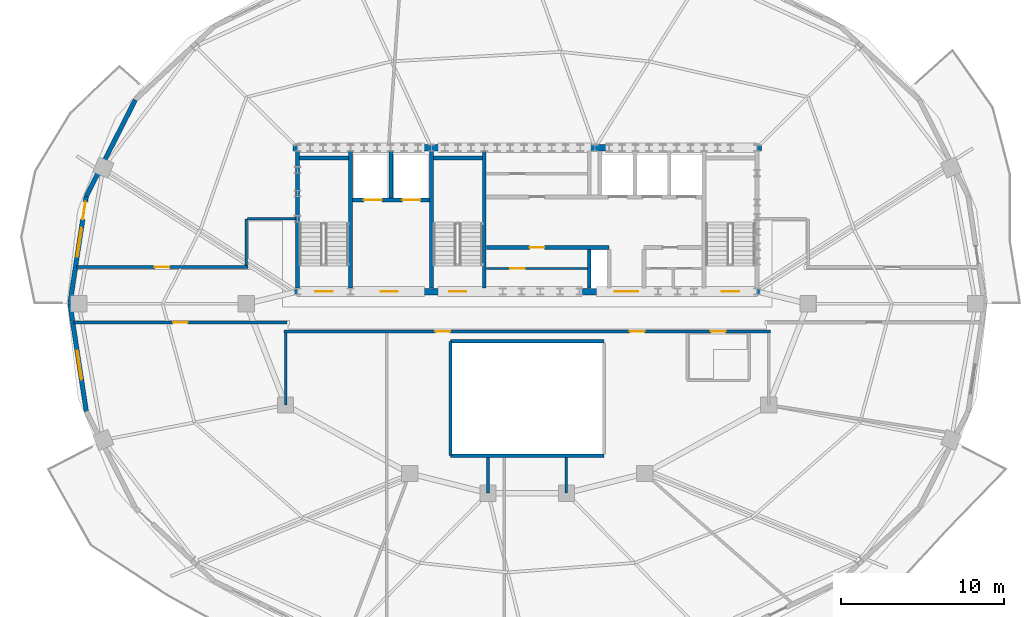
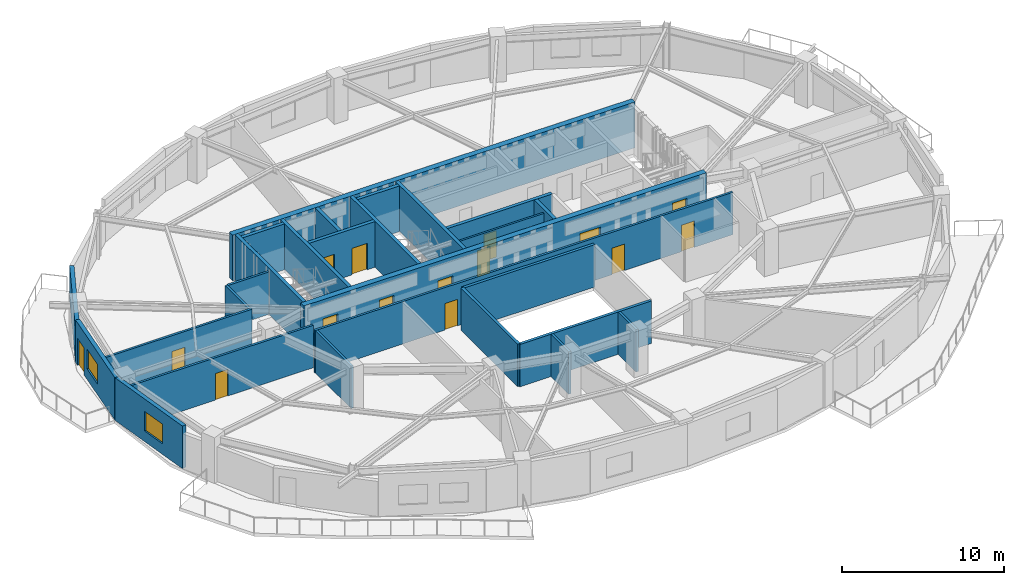
# One storey, part 4 of 11: 27 walls, 15 doors, 2 windows, 17 openings.
"""IFC4 building model written with IfcOpenShell, lengths in metres."""

from ifc_helpers import new_model, si_unit, direction, frame, frame_2d, origin, place, context, subcontext, project, spatial, rectangle, extrude, material, layer, layer_set, type_object, element, fill, save


model = new_model("IFC4")

# Units and contexts
model_context = context("Model", 3, precision=1e-05, world=origin(), true_north=direction((0.0, 1.0)))
body_context = subcontext(model_context, "Body", "Model", "MODEL_VIEW")
ifc_project = project(units=[si_unit("LENGTHUNIT", "METRE"), si_unit("AREAUNIT", "SQUARE_METRE"), si_unit("VOLUMEUNIT", "CUBIC_METRE"), si_unit("PLANEANGLEUNIT", "RADIAN"), si_unit("MASSUNIT", "GRAM", prefix="KILO")], contexts=[model_context])

# Site, building, storey
site_placement = place(None, origin())
site = spatial("IfcSite", under=ifc_project, at=site_placement, CompositionType="ELEMENT")
building_placement = place(site_placement, origin())
building = spatial("IfcBuilding", under=site, at=building_placement, Name="Haldorwick Loom Tower", CompositionType="ELEMENT")
storey_placement = place(building_placement, frame((0.0, 0.0, 234.0)))
storey = spatial("IfcBuildingStorey", under=building, at=storey_placement, Name="L63", CompositionType="ELEMENT", Elevation=234.0)

# Wall
ifc_material_1 = material(Name="Pressed Clay Face Brick and Insulated Masonry Backup Assembly", Category="masonry")
ifc_layer_1 = layer(ifc_material_1, 0.280029296875, Name="Pressed Clay Face Brick and Insulated Masonry Backup Assembly", Category="masonry")
ifc_layer_set_1 = layer_set([ifc_layer_1], Name="Pressed Clay Face Brick and Insulated Masonry Backup Assembly")
wall_type_1 = type_object("IfcWallType", Name="ARC-WL-EXT280", PredefinedType="STANDARD", material=ifc_layer_set_1)
wall_1_placement = place(storey_placement, frame((11.994384765625, 38.4853515625, 0.0), z_axis=(0.0, 0.0, 1.0), x_axis=(-0.453032066879, -0.89149422117, 0.0)))
element("IfcWall", 1, at=wall_1_placement, inside=storey, type_object=wall_type_1, Name="L63 Brick Pier and Spandrel Wall 11", PredefinedType="STANDARD", context=body_context, shape_type="SweptSolid", body=[
    extrude(rectangle(XDim=6.618896484375, YDim=0.280029296875, at=frame_2d((3.3095703125, 0.0))), origin(), (0.0, 0.0, 1.0), 2.64111328125),
])

# Wall, openings, door, window
wall_2_placement = place(storey_placement, frame((8.995849609375, 32.584716796875, 0.0), z_axis=(0.0, 0.0, 1.0), x_axis=(-0.150467697578, -0.988614926038, 0.0)))
wall_2 = element("IfcWall", 2, at=wall_2_placement, inside=storey, type_object=wall_type_1, Name="L63 Brick Pier and Spandrel Wall 12", PredefinedType="STANDARD", context=body_context, shape_type="SweptSolid", body=[
    extrude(rectangle(XDim=6.66064453125, YDim=0.280029296875, at=frame_2d((3.330322265625, 0.0))), origin(), (0.0, 0.0, 1.0), 3.2099609375),
])
opening_1_placement = place(wall_2_placement, frame((0.340087890625, 0.0, 0.0)))
opening_1 = element("IfcOpeningElement", 3, at=opening_1_placement, cuts=wall_2, Name="Opening D-BL11", PredefinedType="OPENING", context=body_context, shape_type="SweptSolid", body=[
    extrude(rectangle(XDim=1.080078125, YDim=2.0400390625, at=frame_2d((0.5400390625, 1.02001953125))), frame((0.0, 0.14990234375, 0.0), z_axis=(0.0, -1.0, 0.0), x_axis=(1.0, 0.0, 0.0)), (0.0, 0.0, 1.0), 0.300048828125),
])
opening_2_placement = place(wall_2_placement, frame((1.952392578125, 0.0, 0.800048828125)))
opening_2 = element("IfcOpeningElement", 4, at=opening_2_placement, cuts=wall_2, Name="Opening W-01", PredefinedType="OPENING", context=body_context, shape_type="SweptSolid", body=[
    extrude(rectangle(XDim=1.800048828125, YDim=1.47998046875, at=frame_2d((0.89990234375, 0.739990234375))), frame((0.0, 0.14990234375, 0.0), z_axis=(0.0, -1.0, 0.0), x_axis=(1.0, 0.0, 0.0)), (0.0, 0.0, 1.0), 0.300048828125),
])
ifc_material_2 = material(Name="Thermally Broken Anodized Aluminium Curtain Wall Framing", Category="aluminium")
door_type_1 = type_object("IfcDoorType", Name="ARC-DR-BAL110", OperationType="NOTDEFINED", PredefinedType="DOOR", material=ifc_material_2)
door_1_placement = place(opening_1_placement, origin())
door_1 = element("IfcDoor", 5, at=door_1_placement, inside=storey, type_object=door_type_1, Name="L63 Outdoor Terrace Door SLB-L63-BAL_WNW", OperationType="SINGLE_SWING_RIGHT", OverallHeight=2.0400390625, OverallWidth=1.080078125, PredefinedType="DOOR", context=body_context, shape_type="SweptSolid", body=[
    extrude(rectangle(XDim=1.080078125, YDim=2.0400390625, at=frame_2d((0.5400390625, 1.02001953125))), frame((0.0, 0.02490234375, 0.0), z_axis=(0.0, -1.0, 0.0), x_axis=(1.0, 0.0, 0.0)), (0.0, 0.0, 1.0), 0.050048828125),
])
fill(opening_1, door_1)
ifc_material_3 = material(Name="Triple-Glazed Low-E Argon Insulated Glazing Unit", Category="glass")
window_type = type_object("IfcWindowType", Name="ARC-WIN-W180", PartitioningType="SINGLE_PANEL", PredefinedType="WINDOW", material=ifc_material_3)
window_1_placement = place(opening_2_placement, origin())
window_1 = element("IfcWindow", 6, at=window_1_placement, inside=storey, type_object=window_type, Name="L63 Deep-Set Zone 7A Window 12", OverallHeight=1.47998046875, OverallWidth=1.800048828125, PartitioningType="SINGLE_PANEL", PredefinedType="WINDOW", context=body_context, shape_type="SweptSolid", body=[
    extrude(rectangle(XDim=1.800048828125, YDim=1.47998046875, at=frame_2d((0.89990234375, 0.739990234375))), frame((0.0, 0.030029296875, 0.0), z_axis=(0.0, -1.0, 0.0), x_axis=(1.0, 0.0, 0.0)), (0.0, 0.0, 1.0), 0.06005859375),
])
fill(opening_2, window_1)

# Wall, opening, window
wall_3_placement = place(storey_placement, frame((7.99365234375, 26.0, 0.0), z_axis=(0.0, 0.0, 1.0), x_axis=(0.150467697578, -0.988614926038, 0.0)))
wall_3 = element("IfcWall", 7, at=wall_3_placement, inside=storey, type_object=wall_type_1, Name="L63 Brick Pier and Spandrel Wall 13", PredefinedType="STANDARD", context=body_context, shape_type="SweptSolid", body=[
    extrude(rectangle(XDim=6.66064453125, YDim=0.280029296875, at=frame_2d((3.330322265625, 0.0))), origin(), (0.0, 0.0, 1.0), 3.2099609375),
])
opening_3_placement = place(wall_3_placement, frame((2.907958984375, 0.0, 0.800048828125)))
opening_3 = element("IfcOpeningElement", 8, at=opening_3_placement, cuts=wall_3, Name="Opening W-01", PredefinedType="OPENING", context=body_context, shape_type="SweptSolid", body=[
    extrude(rectangle(XDim=1.800048828125, YDim=1.47998046875, at=frame_2d((0.89990234375, 0.739990234375))), frame((0.0, 0.14990234375, 0.0), z_axis=(0.0, -1.0, 0.0), x_axis=(1.0, 0.0, 0.0)), (0.0, 0.0, 1.0), 0.300048828125),
])
window_2_placement = place(opening_3_placement, origin())
window_2 = element("IfcWindow", 9, at=window_2_placement, inside=storey, type_object=window_type, Name="L63 Deep-Set Zone 7A Window 13", OverallHeight=1.47998046875, OverallWidth=1.800048828125, PartitioningType="SINGLE_PANEL", PredefinedType="WINDOW", context=body_context, shape_type="SweptSolid", body=[
    extrude(rectangle(XDim=1.800048828125, YDim=1.47998046875, at=frame_2d((0.89990234375, 0.739990234375))), frame((0.0, 0.030029296875, 0.0), z_axis=(0.0, -1.0, 0.0), x_axis=(1.0, 0.0, 0.0)), (0.0, 0.0, 1.0), 0.06005859375),
])
fill(opening_3, window_2)

# Wall, openings, doors
ifc_material_4 = material(Name="Fire-Rated Type X Gypsum Stud Assembly EI 60")
ifc_layer_2 = layer(ifc_material_4, 0.159912109375, Name="Fire-Rated Type X Gypsum Stud Assembly EI 60")
ifc_layer_set_2 = layer_set([ifc_layer_2], Name="Fire-Rated Type X Gypsum Stud Assembly EI 60")
wall_type_2 = type_object("IfcWallType", Name="ARC-WL-FIRE160", PredefinedType="PARTITIONING", material=ifc_layer_set_2)
wall_4_placement = place(storey_placement, frame((21.10009765625, 24.300048828125, 0.0), z_axis=(0.0, 0.0, 1.0), x_axis=(1.0, 0.0, 0.0)))
wall_4 = element("IfcWall", 10, at=wall_4_placement, inside=storey, type_object=wall_type_2, Name="L63 Residential Fire Partition L63-CR-SP", PredefinedType="PARTITIONING", context=body_context, shape_type="SweptSolid", body=[
    extrude(rectangle(XDim=29.7998046875, YDim=0.159912109375, at=frame_2d((14.89990234375, 0.0))), origin(), (0.0, 0.0, 1.0), 3.195068359375),
])
opening_4_placement = place(wall_4_placement, frame((21.1826171875, 0.0, 0.0)))
opening_4 = element("IfcOpeningElement", 11, at=opening_4_placement, cuts=wall_4, Name="Opening D-FD60A", PredefinedType="OPENING", context=body_context, shape_type="SweptSolid", body=[
    extrude(rectangle(XDim=0.89990234375, YDim=2.0, at=frame_2d((0.449951171875, 1.0))), frame((0.0, 0.08984375, 0.0), z_axis=(0.0, -1.0, 0.0), x_axis=(1.0, 0.0, 0.0)), (0.0, 0.0, 1.0), 0.179931640625),
])
opening_5_placement = place(wall_4_placement, frame((9.272705078125, 0.0, 0.0)))
opening_5 = element("IfcOpeningElement", 12, at=opening_5_placement, cuts=wall_4, Name="Opening D-FD60A", PredefinedType="OPENING", context=body_context, shape_type="SweptSolid", body=[
    extrude(rectangle(XDim=0.89990234375, YDim=2.0, at=frame_2d((0.449951171875, 1.0))), frame((0.0, 0.08984375, 0.0), z_axis=(0.0, -1.0, 0.0), x_axis=(1.0, 0.0, 0.0)), (0.0, 0.0, 1.0), 0.179931640625),
])
opening_6_placement = place(wall_4_placement, frame((26.1494140625, 0.0, 0.0)))
opening_6 = element("IfcOpeningElement", 13, at=opening_6_placement, cuts=wall_4, Name="Opening D-FD60A", PredefinedType="OPENING", context=body_context, shape_type="SweptSolid", body=[
    extrude(rectangle(XDim=0.89990234375, YDim=2.0, at=frame_2d((0.449951171875, 1.0))), frame((0.0, 0.08984375, 0.0), z_axis=(0.0, -1.0, 0.0), x_axis=(1.0, 0.0, 0.0)), (0.0, 0.0, 1.0), 0.179931640625),
])
ifc_material_5 = material(Name="Hollow Steel Fire Door Assembly", Category="steel")
door_type_2 = type_object("IfcDoorType", Name="ARC-DR-FD60-90", OperationType="NOTDEFINED", PredefinedType="DOOR", material=ifc_material_5)
door_2_placement = place(opening_4_placement, origin())
door_2 = element("IfcDoor", 14, at=door_2_placement, inside=storey, type_object=door_type_2, Name="L63 L63 Central Residential Corridor to Community Library Hall 2 Door", OperationType="SINGLE_SWING_RIGHT", OverallHeight=2.0, OverallWidth=0.89990234375, PredefinedType="DOOR", context=body_context, shape_type="SweptSolid", body=[
    extrude(rectangle(XDim=0.89990234375, YDim=2.0, at=frame_2d((0.449951171875, 1.0))), frame((0.0, 0.02490234375, 0.0), z_axis=(0.0, -1.0, 0.0), x_axis=(1.0, 0.0, 0.0)), (0.0, 0.0, 1.0), 0.050048828125),
])
fill(opening_4, door_2)
door_3_placement = place(opening_5_placement, origin())
door_3 = element("IfcDoor", 15, at=door_3_placement, inside=storey, type_object=door_type_2, Name="L63 L63 Central Residential Corridor to Community Library Hall 1 Door", OperationType="SINGLE_SWING_LEFT", OverallHeight=2.0, OverallWidth=0.89990234375, PredefinedType="DOOR", context=body_context, shape_type="SweptSolid", body=[
    extrude(rectangle(XDim=0.89990234375, YDim=2.0, at=frame_2d((0.449951171875, 1.0))), frame((0.0, 0.02490234375, 0.0), z_axis=(0.0, -1.0, 0.0), x_axis=(1.0, 0.0, 0.0)), (0.0, 0.0, 1.0), 0.050048828125),
])
fill(opening_5, door_3)
door_4_placement = place(opening_6_placement, origin())
door_4 = element("IfcDoor", 16, at=door_4_placement, inside=storey, type_object=door_type_2, Name="L63 L63 Central Residential Corridor to Common Accessible WC Door", OperationType="SINGLE_SWING_RIGHT", OverallHeight=2.0, OverallWidth=0.89990234375, PredefinedType="DOOR", context=body_context, shape_type="SweptSolid", body=[
    extrude(rectangle(XDim=0.89990234375, YDim=2.0, at=frame_2d((0.449951171875, 1.0))), frame((0.0, 0.02490234375, 0.0), z_axis=(0.0, -1.0, 0.0), x_axis=(1.0, 0.0, 0.0)), (0.0, 0.0, 1.0), 0.050048828125),
])
fill(opening_6, door_4)

# Wall, opening, door
wall_5_placement = place(storey_placement, frame((8.214111328125, 24.85009765625, 0.0), z_axis=(0.0, 0.0, 1.0), x_axis=(1.0, 0.0, 0.0)))
wall_5 = element("IfcWall", 17, at=wall_5_placement, inside=storey, type_object=wall_type_2, Name="L63 Residential Fire Partition L63-CR-SPW", PredefinedType="PARTITIONING", context=body_context, shape_type="SweptSolid", body=[
    extrude(rectangle(XDim=13.0859375, YDim=0.159912109375, at=frame_2d((6.54296875, 0.0))), origin(), (0.0, 0.0, 1.0), 3.195068359375),
])
opening_7_placement = place(wall_5_placement, frame((6.093017578125, 0.0, 0.0)))
opening_7 = element("IfcOpeningElement", 18, at=opening_7_placement, cuts=wall_5, Name="Opening D-FD60A", PredefinedType="OPENING", context=body_context, shape_type="SweptSolid", body=[
    extrude(rectangle(XDim=0.89990234375, YDim=2.0, at=frame_2d((0.449951171875, 1.0))), frame((0.0, 0.08984375, 0.0), z_axis=(0.0, -1.0, 0.0), x_axis=(1.0, 0.0, 0.0)), (0.0, 0.0, 1.0), 0.179931640625),
])
door_5_placement = place(opening_7_placement, origin())
door_5 = element("IfcDoor", 19, at=door_5_placement, inside=storey, type_object=door_type_2, Name="L63 L63 Central Residential Corridor to Community Library Hall 3 Door", OperationType="SINGLE_SWING_LEFT", OverallHeight=2.0, OverallWidth=0.89990234375, PredefinedType="DOOR", context=body_context, shape_type="SweptSolid", body=[
    extrude(rectangle(XDim=0.89990234375, YDim=2.0, at=frame_2d((0.449951171875, 1.0))), frame((0.0, 0.02490234375, 0.0), z_axis=(0.0, -1.0, 0.0), x_axis=(1.0, 0.0, 0.0)), (0.0, 0.0, 1.0), 0.050048828125),
])
fill(opening_7, door_5)

wall_6_placement = place(storey_placement, frame((8.381591796875, 28.25, 0.0), z_axis=(0.0, 0.0, 1.0), x_axis=(1.0, 0.0, 0.0)))
wall_6 = element("IfcWall", 20, at=wall_6_placement, inside=storey, type_object=wall_type_2, Name="L63 Residential Fire Partition L63-CR-NWL", PredefinedType="PARTITIONING", context=body_context, shape_type="SweptSolid", body=[
    extrude(rectangle(XDim=10.518310546875, YDim=0.159912109375, at=frame_2d((5.25927734375, 0.0))), origin(), (0.0, 0.0, 1.0), 3.195068359375),
])
opening_8_placement = place(wall_6_placement, frame((4.80908203125, 0.0, 0.0)))
opening_8 = element("IfcOpeningElement", 21, at=opening_8_placement, cuts=wall_6, Name="Opening D-FD60A", PredefinedType="OPENING", context=body_context, shape_type="SweptSolid", body=[
    extrude(rectangle(XDim=0.89990234375, YDim=2.0, at=frame_2d((0.449951171875, 1.0))), frame((0.0, 0.08984375, 0.0), z_axis=(0.0, -1.0, 0.0), x_axis=(1.0, 0.0, 0.0)), (0.0, 0.0, 1.0), 0.179931640625),
])
door_6_placement = place(opening_8_placement, frame((0.89990234375, 0.0, 0.0), z_axis=(0.0, 0.0, 1.0), x_axis=(-1.0, 0.0, 0.0)))
door_6 = element("IfcDoor", 22, at=door_6_placement, inside=storey, type_object=door_type_2, Name="L63 Community Library Hall 5 to L63 Central Residential Corridor Door", OperationType="SINGLE_SWING_RIGHT", OverallHeight=2.0, OverallWidth=0.89990234375, PredefinedType="DOOR", context=body_context, shape_type="SweptSolid", body=[
    extrude(rectangle(XDim=0.89990234375, YDim=2.0, at=frame_2d((0.449951171875, 1.0))), frame((0.0, 0.02490234375, 0.0), z_axis=(0.0, -1.0, 0.0), x_axis=(1.0, 0.0, 0.0)), (0.0, 0.0, 1.0), 0.050048828125),
])
fill(opening_8, door_6)

# Walls
wall_7_placement = place(storey_placement, frame((18.800048828125, 28.3330078125, 0.0), z_axis=(0.0, 0.0, 1.0), x_axis=(0.0, 1.0, 0.0)))
element("IfcWall", 23, at=wall_7_placement, inside=storey, type_object=wall_type_2, Name="L63 Residential Fire Partition L63-CR-W0", PredefinedType="PARTITIONING", context=body_context, shape_type="SweptSolid", body=[
    extrude(rectangle(XDim=2.866943359375, YDim=0.159912109375, at=frame_2d((1.43359375, 0.0))), origin(), (0.0, 0.0, 1.0), 3.195068359375),
])
wall_8_placement = place(storey_placement, frame((18.883056640625, 31.199951171875, 0.0), z_axis=(0.0, 0.0, 1.0), x_axis=(1.0, 0.0, 0.0)))
element("IfcWall", 24, at=wall_8_placement, inside=storey, type_object=wall_type_2, Name="L63 Residential Fire Partition L63-CR-WNJ", PredefinedType="PARTITIONING", context=body_context, shape_type="SweptSolid", body=[
    extrude(rectangle(XDim=2.923828125, YDim=0.159912109375, at=frame_2d((1.4619140625, 0.0))), origin(), (0.0, 0.0, 1.0), 3.195068359375),
])
for number, where, z_axis, x_axis, name in (
    (25, (38.39990234375, 16.596923828125, 0.0), (0.0, 0.0, 1.0), (0.0, -1.0, 0.0), "L63 Residential Fire Partition L63-ICA-05"),
    (26, (33.60009765625, 16.596923828125, 0.0), (0.0, 0.0, 1.0), (0.0, -1.0, 0.0), "L63 Residential Fire Partition L63-ICA-06"),
):
    element("IfcWall", number, at=place(storey_placement, frame(where, z_axis=z_axis, x_axis=x_axis)), inside=storey, type_object=wall_type_2, Name=name, PredefinedType="PARTITIONING", context=body_context, shape_type="SweptSolid", body=[
        extrude(rectangle(XDim=2.197021484375, YDim=0.159912109375, at=frame_2d((1.0986328125, 0.0))), origin(), (0.0, 0.0, 1.0), 3.195068359375),
    ])
wall_9_placement = place(storey_placement, frame((21.199951171875, 24.217041015625, 0.0), z_axis=(0.0, 0.0, 1.0), x_axis=(0.0, -1.0, 0.0)))
element("IfcWall", 27, at=wall_9_placement, inside=storey, type_object=wall_type_2, Name="L63 Residential Fire Partition L63-ICA-09", PredefinedType="PARTITIONING", context=body_context, shape_type="SweptSolid", body=[
    extrude(rectangle(XDim=4.4169921875, YDim=0.159912109375, at=frame_2d((2.20849609375, 0.0))), origin(), (0.0, 0.0, 1.0), 3.195068359375),
])
ifc_material_6 = material(Name="Fire-Rated Type X Gypsum Stud Assembly EI 120")
ifc_layer_3 = layer(ifc_material_6, 0.199951171875, Name="Fire-Rated Type X Gypsum Stud Assembly EI 120")
ifc_layer_set_3 = layer_set([ifc_layer_3], Name="Fire-Rated Type X Gypsum Stud Assembly EI 120")
wall_type_3 = type_object("IfcWallType", Name="ARC-WL-FIRE200", PredefinedType="PARTITIONING", material=ifc_layer_set_3)
for number, where, z_axis, x_axis, name in (
    (28, (31.300048828125, 23.699951171875, 0.0), (0.0, 0.0, 1.0), (1.0, 0.0, 0.0), "L63 Atrium Fire Enclosure Wall N"),
    (29, (40.699951171875, 16.699951171875, 0.0), (0.0, 0.0, 1.0), (-1.0, 0.0, 0.0), "L63 Atrium Fire Enclosure Wall S"),
):
    element("IfcWall", number, at=place(storey_placement, frame(where, z_axis=z_axis, x_axis=x_axis)), inside=storey, type_object=wall_type_3, Name=name, PredefinedType="PARTITIONING", context=body_context, shape_type="SweptSolid", body=[
        extrude(rectangle(XDim=9.39990234375, YDim=0.199951171875, at=frame_2d((4.699951171875, 0.0))), origin(), (0.0, 0.0, 1.0), 3.195068359375),
    ])
wall_10_placement = place(storey_placement, frame((31.300048828125, 16.699951171875, 0.0), z_axis=(0.0, 0.0, 1.0), x_axis=(0.0, 1.0, 0.0)))
element("IfcWall", 30, at=wall_10_placement, inside=storey, type_object=wall_type_3, Name="L63 Atrium Fire Enclosure Wall W", PredefinedType="PARTITIONING", context=body_context, shape_type="SweptSolid", body=[
    extrude(rectangle(XDim=7.0, YDim=0.199951171875, at=frame_2d((3.5, 0.0))), origin(), (0.0, 0.0, 1.0), 3.195068359375),
])

# Wall, opening, door
ifc_layer_4 = layer(ifc_material_4, 0.139892578125, Name="Fire-Rated Type X Gypsum Stud Assembly EI 60")
ifc_layer_set_4 = layer_set([ifc_layer_4], Name="Fire-Rated Type X Gypsum Stud Assembly EI 60")
wall_type_4 = type_object("IfcWallType", Name="ARC-WL-PART140", PredefinedType="PARTITIONING", material=ifc_layer_set_4)
wall_11_placement = place(storey_placement, frame((33.492919921875, 28.159912109375, 0.0), z_axis=(0.0, 0.0, 1.0), x_axis=(1.0, 0.0, 0.0)))
wall_11 = element("IfcWall", 31, at=wall_11_placement, inside=storey, type_object=wall_type_4, Name="L63 Mid-Bank Horizontal Partition", PredefinedType="PARTITIONING", context=body_context, shape_type="SweptSolid", body=[
    extrude(rectangle(XDim=6.18408203125, YDim=0.139892578125, at=frame_2d((3.092041015625, 0.0))), origin(), (0.0, 0.0, 1.0), 3.195068359375),
])
opening_9_placement = place(wall_11_placement, frame((1.45703125, 0.0, 0.0)))
opening_9 = element("IfcOpeningElement", 32, at=opening_9_placement, cuts=wall_11, Name="Opening D-FD60A", PredefinedType="OPENING", context=body_context, shape_type="SweptSolid", body=[
    extrude(rectangle(XDim=0.89990234375, YDim=2.0, at=frame_2d((0.449951171875, 1.0))), frame((0.0, 0.079833984375, 0.0), z_axis=(0.0, -1.0, 0.0), x_axis=(1.0, 0.0, 0.0)), (0.0, 0.0, 1.0), 0.159912109375),
])
door_7_placement = place(opening_9_placement, origin())
door_7 = element("IfcDoor", 33, at=door_7_placement, inside=storey, type_object=door_type_2, Name="L63 Archive Store Door", OperationType="SINGLE_SWING_RIGHT", OverallHeight=2.0, OverallWidth=0.89990234375, PredefinedType="DOOR", context=body_context, shape_type="SweptSolid", body=[
    extrude(rectangle(XDim=0.89990234375, YDim=2.0, at=frame_2d((0.449951171875, 1.0))), frame((0.0, 0.02490234375, 0.0), z_axis=(0.0, -1.0, 0.0), x_axis=(1.0, 0.0, 0.0)), (0.0, 0.0, 1.0), 0.050048828125),
])
fill(opening_9, door_7)

# Wall, openings, doors
ifc_material_7 = material(Name="Concrete C50 (50 MPa)", Category="concrete")
ifc_layer_5 = layer(ifc_material_7, 0.39990234375, Name="Concrete C50 (50 MPa)", Category="concrete")
ifc_layer_set_5 = layer_set([ifc_layer_5], Name="Concrete C50 (50 MPa)")
wall_type_5 = type_object("IfcWallType", Name="STR-WL-CORE400", PredefinedType="SHEAR", material=ifc_layer_set_5)
wall_12_placement = place(storey_placement, frame((21.64990234375, 26.75, 0.0), z_axis=(0.0, 0.0, 1.0), x_axis=(1.0, 0.0, 0.0)))
wall_12 = element("IfcWall", 34, at=wall_12_placement, inside=storey, type_object=wall_type_5, Name="L63 Core Shear Wall S", PredefinedType="SHEAR", context=body_context, shape_type="SweptSolid", body=[
    extrude(rectangle(XDim=28.7001953125, YDim=0.39990234375, at=frame_2d((14.35009765625, 0.0))), origin(), (0.0, 0.0, 1.0), 3.449951171875),
])
opening_10_placement = place(wall_12_placement, frame((1.375, 0.0, 0.0)))
opening_10 = element("IfcOpeningElement", 35, at=opening_10_placement, cuts=wall_12, Name="Opening D-FD60", PredefinedType="OPENING", context=body_context, shape_type="SweptSolid", body=[
    extrude(rectangle(XDim=1.050048828125, YDim=2.0, at=frame_2d((0.52490234375, 1.0))), frame((0.0, 0.2099609375, 0.0), z_axis=(0.0, -1.0, 0.0), x_axis=(1.0, 0.0, 0.0)), (0.0, 0.0, 1.0), 0.419921875),
])
opening_11_placement = place(wall_12_placement, frame((5.375, 0.0, 0.0)))
opening_11 = element("IfcOpeningElement", 36, at=opening_11_placement, cuts=wall_12, Name="Opening D-FD60", PredefinedType="OPENING", context=body_context, shape_type="SweptSolid", body=[
    extrude(rectangle(XDim=1.050048828125, YDim=2.0, at=frame_2d((0.52490234375, 1.0))), frame((0.0, 0.2099609375, 0.0), z_axis=(0.0, -1.0, 0.0), x_axis=(1.0, 0.0, 0.0)), (0.0, 0.0, 1.0), 0.419921875),
])
opening_12_placement = place(wall_12_placement, frame((9.574951171875, 0.0, 0.0)))
opening_12 = element("IfcOpeningElement", 37, at=opening_12_placement, cuts=wall_12, Name="Opening D-FD60", PredefinedType="OPENING", context=body_context, shape_type="SweptSolid", body=[
    extrude(rectangle(XDim=1.050048828125, YDim=2.0, at=frame_2d((0.52490234375, 1.0))), frame((0.0, 0.2099609375, 0.0), z_axis=(0.0, -1.0, 0.0), x_axis=(1.0, 0.0, 0.0)), (0.0, 0.0, 1.0), 0.419921875),
])
opening_13_placement = place(wall_12_placement, frame((19.705078125, 0.0, 0.0)))
opening_13 = element("IfcOpeningElement", 38, at=opening_13_placement, cuts=wall_12, Name="Opening D-LB15", PredefinedType="OPENING", context=body_context, shape_type="SweptSolid", body=[
    extrude(rectangle(XDim=1.449951171875, YDim=2.0, at=frame_2d((0.72509765625, 1.0))), frame((0.0, 0.2099609375, 0.0), z_axis=(0.0, -1.0, 0.0), x_axis=(1.0, 0.0, 0.0)), (0.0, 0.0, 1.0), 0.419921875),
])
opening_14_placement = place(wall_12_placement, frame((26.27490234375, 0.0, 0.0)))
opening_14 = element("IfcOpeningElement", 39, at=opening_14_placement, cuts=wall_12, Name="Opening D-FD60", PredefinedType="OPENING", context=body_context, shape_type="SweptSolid", body=[
    extrude(rectangle(XDim=1.050048828125, YDim=2.0, at=frame_2d((0.52490234375, 1.0))), frame((0.0, 0.2099609375, 0.0), z_axis=(0.0, -1.0, 0.0), x_axis=(1.0, 0.0, 0.0)), (0.0, 0.0, 1.0), 0.419921875),
])
door_type_3 = type_object("IfcDoorType", Name="ARC-DR-FD60", OperationType="NOTDEFINED", PredefinedType="DOOR", material=ifc_material_5)
door_8_placement = place(opening_10_placement, origin())
door_8 = element("IfcDoor", 40, at=door_8_placement, inside=storey, type_object=door_type_3, Name="L63 Exit Stair ST-01 Fire Door", OperationType="SINGLE_SWING_LEFT", OverallHeight=2.0, OverallWidth=1.050048828125, PredefinedType="DOOR", context=body_context, shape_type="SweptSolid", body=[
    extrude(rectangle(XDim=1.050048828125, YDim=2.0, at=frame_2d((0.52490234375, 1.0))), frame((0.0, 0.02490234375, 0.0), z_axis=(0.0, -1.0, 0.0), x_axis=(1.0, 0.0, 0.0)), (0.0, 0.0, 1.0), 0.050048828125),
])
fill(opening_10, door_8)
door_9_placement = place(opening_11_placement, origin())
door_9 = element("IfcDoor", 41, at=door_9_placement, inside=storey, type_object=door_type_3, Name="L63 Firefighting Lift Lobby Fire Door", OperationType="SINGLE_SWING_RIGHT", OverallHeight=2.0, OverallWidth=1.050048828125, PredefinedType="DOOR", context=body_context, shape_type="SweptSolid", body=[
    extrude(rectangle(XDim=1.050048828125, YDim=2.0, at=frame_2d((0.52490234375, 1.0))), frame((0.0, 0.02490234375, 0.0), z_axis=(0.0, -1.0, 0.0), x_axis=(1.0, 0.0, 0.0)), (0.0, 0.0, 1.0), 0.050048828125),
])
fill(opening_11, door_9)
door_10_placement = place(opening_12_placement, origin())
door_10 = element("IfcDoor", 42, at=door_10_placement, inside=storey, type_object=door_type_3, Name="L63 Exit Stair ST-03 Fire Door", OperationType="SINGLE_SWING_LEFT", OverallHeight=2.0, OverallWidth=1.050048828125, PredefinedType="DOOR", context=body_context, shape_type="SweptSolid", body=[
    extrude(rectangle(XDim=1.050048828125, YDim=2.0, at=frame_2d((0.52490234375, 1.0))), frame((0.0, 0.02490234375, 0.0), z_axis=(0.0, -1.0, 0.0), x_axis=(1.0, 0.0, 0.0)), (0.0, 0.0, 1.0), 0.050048828125),
])
fill(opening_12, door_10)
door_11_placement = place(opening_14_placement, origin())
door_11 = element("IfcDoor", 43, at=door_11_placement, inside=storey, type_object=door_type_3, Name="L63 Exit Stair ST-02 Fire Door", OperationType="SINGLE_SWING_LEFT", OverallHeight=2.0, OverallWidth=1.050048828125, PredefinedType="DOOR", context=body_context, shape_type="SweptSolid", body=[
    extrude(rectangle(XDim=1.050048828125, YDim=2.0, at=frame_2d((0.52490234375, 1.0))), frame((0.0, 0.02490234375, 0.0), z_axis=(0.0, -1.0, 0.0), x_axis=(1.0, 0.0, 0.0)), (0.0, 0.0, 1.0), 0.050048828125),
])
fill(opening_14, door_11)
ifc_material_8 = material(Name="Thermally Broken Anodized Aluminium and Tempered Glass", Category="aluminium")
door_type_4 = type_object("IfcDoorType", Name="ARC-DR-LOB150", OperationType="NOTDEFINED", PredefinedType="DOOR", material=ifc_material_8)
door_12_placement = place(opening_13_placement, frame((1.449951171875, 0.0, 0.0), z_axis=(0.0, 0.0, 1.0), x_axis=(-1.0, 0.0, 0.0)))
door_12 = element("IfcDoor", 44, at=door_12_placement, inside=storey, type_object=door_type_4, Name="L63 Passenger Lift Lobby Fire Door", OperationType="DOUBLE_DOOR_SINGLE_SWING", OverallHeight=2.0, OverallWidth=1.449951171875, PredefinedType="DOOR", context=body_context, shape_type="SweptSolid", body=[
    extrude(rectangle(XDim=1.449951171875, YDim=2.0, at=frame_2d((0.72509765625, 1.0))), frame((0.0, 0.02490234375, 0.0), z_axis=(0.0, -1.0, 0.0), x_axis=(1.0, 0.0, 0.0)), (0.0, 0.0, 1.0), 0.050048828125),
])
fill(opening_13, door_12)

# Walls
wall_13_placement = place(storey_placement, frame((50.35009765625, 35.550048828125, 0.0), z_axis=(0.0, 0.0, 1.0), x_axis=(-1.0, 0.0, 0.0)))
element("IfcWall", 45, at=wall_13_placement, inside=storey, type_object=wall_type_5, Name="L63 Core Shear Wall N", PredefinedType="SHEAR", context=body_context, shape_type="SweptSolid", body=[
    extrude(rectangle(XDim=28.7001953125, YDim=0.39990234375, at=frame_2d((14.35009765625, 0.0))), origin(), (0.0, 0.0, 1.0), 3.449951171875),
])
ifc_layer_6 = layer(ifc_material_7, 0.239990234375, Name="Concrete C50 (50 MPa)", Category="concrete")
ifc_layer_set_6 = layer_set([ifc_layer_6], Name="Concrete C50 (50 MPa)")
wall_type_6 = type_object("IfcWallType", Name="STR-WL-SHAFT240", PredefinedType="SHEAR", material=ifc_layer_set_6)
for number, where, z_axis, x_axis, name in (
    (46, (21.929931640625, 35.346923828125, 0.0), (0.0, 0.0, 1.0), (0.0, -1.0, 0.0), "L63 Core Shear Wall W"),
    (47, (25.169921875, 26.952880859375, 0.0), (0.0, 0.0, 1.0), (0.0, 1.0, 0.0), "L63 Core Shear Wall 1"),
):
    element("IfcWall", number, at=place(storey_placement, frame(where, z_axis=z_axis, x_axis=x_axis)), inside=storey, type_object=wall_type_6, Name=name, PredefinedType="SHEAR", context=body_context, shape_type="SweptSolid", body=[
        extrude(rectangle(XDim=8.39404296875, YDim=0.239990234375, at=frame_2d((4.197021484375, 0.0))), origin(), (0.0, 0.0, 1.0), 3.449951171875),
    ])
wall_14_placement = place(storey_placement, frame((22.052978515625, 34.919921875, 0.0), z_axis=(0.0, 0.0, 1.0), x_axis=(1.0, 0.0, 0.0)))
element("IfcWall", 48, at=wall_14_placement, inside=storey, type_object=wall_type_6, Name="L63 Core Shear Wall 1N", PredefinedType="SHEAR", context=body_context, shape_type="SweptSolid", body=[
    extrude(rectangle(XDim=2.994140625, YDim=0.239990234375, at=frame_2d((1.4970703125, 0.0))), origin(), (0.0, 0.0, 1.0), 3.449951171875),
])
for number, where, z_axis, x_axis, name in (
    (49, (30.1298828125, 26.952880859375, 0.0), (0.0, 0.0, 1.0), (0.0, 1.0, 0.0), "L63 Core Shear Wall 2"),
    (50, (33.3701171875, 26.952880859375, 0.0), (0.0, 0.0, 1.0), (0.0, 1.0, 0.0), "L63 Core Shear Wall 3"),
):
    element("IfcWall", number, at=place(storey_placement, frame(where, z_axis=z_axis, x_axis=x_axis)), inside=storey, type_object=wall_type_6, Name=name, PredefinedType="SHEAR", context=body_context, shape_type="SweptSolid", body=[
        extrude(rectangle(XDim=8.39404296875, YDim=0.239990234375, at=frame_2d((4.197021484375, 0.0))), origin(), (0.0, 0.0, 1.0), 3.449951171875),
    ])
wall_15_placement = place(storey_placement, frame((30.2529296875, 34.919921875, 0.0), z_axis=(0.0, 0.0, 1.0), x_axis=(1.0, 0.0, 0.0)))
element("IfcWall", 51, at=wall_15_placement, inside=storey, type_object=wall_type_6, Name="L63 Core Shear Wall 3N", PredefinedType="SHEAR", context=body_context, shape_type="SweptSolid", body=[
    extrude(rectangle(XDim=2.994140625, YDim=0.239990234375, at=frame_2d((1.4970703125, 0.0))), origin(), (0.0, 0.0, 1.0), 3.449951171875),
])

# Wall, openings, doors
wall_16_placement = place(storey_placement, frame((25.29296875, 32.35009765625, 0.0), z_axis=(0.0, 0.0, 1.0), x_axis=(1.0, 0.0, 0.0)))
wall_16 = element("IfcWall", 52, at=wall_16_placement, inside=storey, type_object=wall_type_6, Name="L63 Core Shear Wall FF", PredefinedType="SHEAR", context=body_context, shape_type="SweptSolid", body=[
    extrude(rectangle(XDim=4.714111328125, YDim=0.239990234375, at=frame_2d((2.35693359375, 0.0))), origin(), (0.0, 0.0, 1.0), 3.449951171875),
])
opening_15_placement = place(wall_16_placement, frame((0.70703125, 0.0, 0.0)))
opening_15 = element("IfcOpeningElement", 53, at=opening_15_placement, cuts=wall_16, Name="Opening LD-FF1", PredefinedType="OPENING", context=body_context, shape_type="SweptSolid", body=[
    extrude(rectangle(XDim=1.10009765625, YDim=2.0, at=frame_2d((0.550048828125, 1.0))), frame((0.0, 0.1298828125, 0.0), z_axis=(0.0, -1.0, 0.0), x_axis=(1.0, 0.0, 0.0)), (0.0, 0.0, 1.0), 0.260009765625),
])
opening_16_placement = place(wall_16_placement, frame((3.056884765625, 0.0, 0.0)))
opening_16 = element("IfcOpeningElement", 54, at=opening_16_placement, cuts=wall_16, Name="Opening LD-FF2", PredefinedType="OPENING", context=body_context, shape_type="SweptSolid", body=[
    extrude(rectangle(XDim=1.10009765625, YDim=2.0, at=frame_2d((0.550048828125, 1.0))), frame((0.0, 0.1298828125, 0.0), z_axis=(0.0, -1.0, 0.0), x_axis=(1.0, 0.0, 0.0)), (0.0, 0.0, 1.0), 0.260009765625),
])
door_type_5 = type_object("IfcDoorType", Name="ARC-DR-LD-FF", OperationType="NOTDEFINED", PredefinedType="USERDEFINED", material=ifc_material_5)
door_13_placement = place(opening_15_placement, origin())
door_13 = element("IfcDoor", 55, at=door_13_placement, inside=storey, type_object=door_type_5, Name="L63 Lift LF-FF1 Sliding Landing Door", ObjectType="LANDING DOOR", OperationType="DOUBLE_DOOR_SLIDING", OverallHeight=2.0, OverallWidth=1.10009765625, PredefinedType="USERDEFINED", context=body_context, shape_type="SweptSolid", body=[
    extrude(rectangle(XDim=1.10009765625, YDim=2.0, at=frame_2d((0.550048828125, 1.0))), frame((0.0, 0.02490234375, 0.0), z_axis=(0.0, -1.0, 0.0), x_axis=(1.0, 0.0, 0.0)), (0.0, 0.0, 1.0), 0.050048828125),
])
fill(opening_15, door_13)
door_14_placement = place(opening_16_placement, origin())
door_14 = element("IfcDoor", 56, at=door_14_placement, inside=storey, type_object=door_type_5, Name="L63 Lift LF-FF2 Sliding Landing Door", ObjectType="LANDING DOOR", OperationType="DOUBLE_DOOR_SLIDING", OverallHeight=2.0, OverallWidth=1.10009765625, PredefinedType="USERDEFINED", context=body_context, shape_type="SweptSolid", body=[
    extrude(rectangle(XDim=1.10009765625, YDim=2.0, at=frame_2d((0.550048828125, 1.0))), frame((0.0, 0.02490234375, 0.0), z_axis=(0.0, -1.0, 0.0), x_axis=(1.0, 0.0, 0.0)), (0.0, 0.0, 1.0), 0.050048828125),
])
fill(opening_16, door_14)

# Wall
wall_17_placement = place(storey_placement, frame((27.64990234375, 32.472900390625, 0.0), z_axis=(0.0, 0.0, 1.0), x_axis=(0.0, 1.0, 0.0)))
element("IfcWall", 57, at=wall_17_placement, inside=storey, type_object=wall_type_6, Name="L63 Core Shear Wall FFD", PredefinedType="SHEAR", context=body_context, shape_type="SweptSolid", body=[
    extrude(rectangle(XDim=2.8740234375, YDim=0.239990234375, at=frame_2d((1.43701171875, 0.0))), origin(), (0.0, 0.0, 1.0), 3.449951171875),
])

# Wall, opening, door
wall_18_placement = place(storey_placement, frame((33.492919921875, 29.449951171875, 0.0), z_axis=(0.0, 0.0, 1.0), x_axis=(1.0, 0.0, 0.0)))
wall_18 = element("IfcWall", 58, at=wall_18_placement, inside=storey, type_object=wall_type_6, Name="L63 Core Shear Wall LS1", PredefinedType="SHEAR", context=body_context, shape_type="SweptSolid", body=[
    extrude(rectangle(XDim=7.507080078125, YDim=0.239990234375, at=frame_2d((3.75341796875, 0.0))), origin(), (0.0, 0.0, 1.0), 3.449951171875),
])
opening_17_placement = place(wall_18_placement, frame((2.656982421875, 0.0, 0.0)))
opening_17 = element("IfcOpeningElement", 59, at=opening_17_placement, cuts=wall_18, Name="Opening D-FD60A", PredefinedType="OPENING", context=body_context, shape_type="SweptSolid", body=[
    extrude(rectangle(XDim=0.89990234375, YDim=2.0, at=frame_2d((0.449951171875, 1.0))), frame((0.0, 0.1298828125, 0.0), z_axis=(0.0, -1.0, 0.0), x_axis=(1.0, 0.0, 0.0)), (0.0, 0.0, 1.0), 0.260009765625),
])
door_15_placement = place(opening_17_placement, origin())
door_15 = element("IfcDoor", 60, at=door_15_placement, inside=storey, type_object=door_type_2, Name="L63 Metering Closet Door", OperationType="SINGLE_SWING_LEFT", OverallHeight=2.0, OverallWidth=0.89990234375, PredefinedType="DOOR", context=body_context, shape_type="SweptSolid", body=[
    extrude(rectangle(XDim=0.89990234375, YDim=2.0, at=frame_2d((0.449951171875, 1.0))), frame((0.0, 0.02490234375, 0.0), z_axis=(0.0, -1.0, 0.0), x_axis=(1.0, 0.0, 0.0)), (0.0, 0.0, 1.0), 0.050048828125),
])
fill(opening_17, door_15)

# Wall
wall_19_placement = place(storey_placement, frame((39.800048828125, 26.952880859375, 0.0), z_axis=(0.0, 0.0, 1.0), x_axis=(0.0, 1.0, 0.0)))
element("IfcWall", 61, at=wall_19_placement, inside=storey, type_object=wall_type_6, Name="L63 Core Shear Wall MRW", PredefinedType="SHEAR", context=body_context, shape_type="SweptSolid", body=[
    extrude(rectangle(XDim=2.3740234375, YDim=0.239990234375, at=frame_2d((1.18701171875, 0.0))), origin(), (0.0, 0.0, 1.0), 3.449951171875),
])

save(model, "model.ifc")
